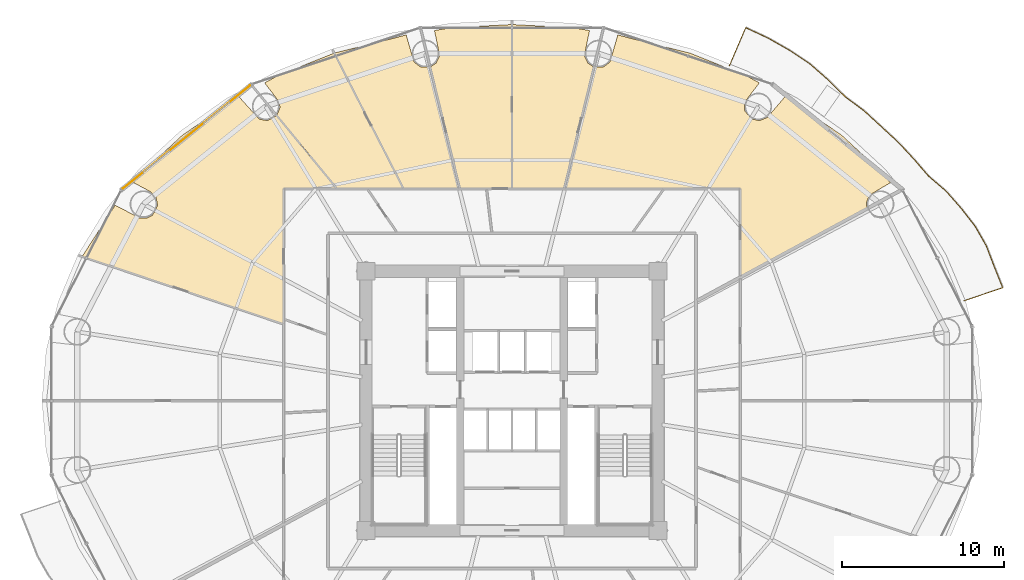
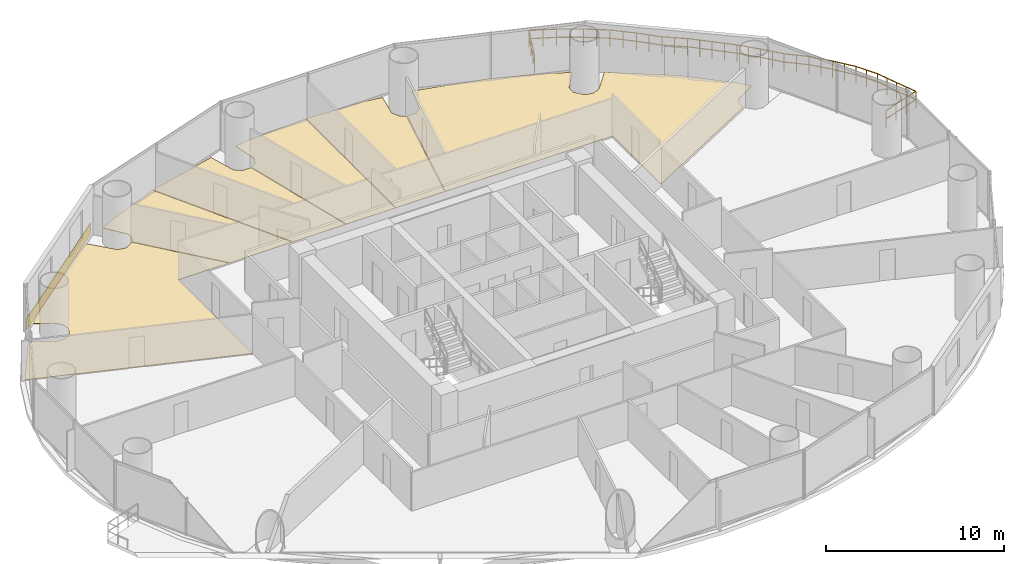
# One storey, part 30 of 30: 7 coverings, 1 railing.
"""IFC4 building model written with IfcOpenShell, lengths in metres."""

from ifc_helpers import new_model, si_unit, direction, frame, origin, origin_2d, place, context, subcontext, project, spatial, polyline, rectangle, outline, extrude, source, transform, mapped, material, layer, layer_set, type_object, element, save


model = new_model("IFC4")

# Units and contexts
model_context = context("Model", 3, precision=1e-05, world=origin(), true_north=direction((-0.2419218956, 0.970295726276)))
body_context = subcontext(model_context, "Body", "Model", "MODEL_VIEW")
ifc_project = project(units=[si_unit("LENGTHUNIT", "METRE"), si_unit("AREAUNIT", "SQUARE_METRE"), si_unit("VOLUMEUNIT", "CUBIC_METRE"), si_unit("PLANEANGLEUNIT", "RADIAN"), si_unit("MASSUNIT", "GRAM", prefix="KILO")], contexts=[model_context])

# Site, building, storey
site_placement = place(None, origin())
site = spatial("IfcSite", under=ifc_project, at=site_placement, CompositionType="ELEMENT")
building_placement = place(site_placement, origin())
building = spatial("IfcBuilding", under=site, at=building_placement, Name="Cobrevalo Terracotta Tower", CompositionType="ELEMENT")
storey_placement = place(building_placement, frame((0.0, 0.0, 63.60009765625)))
storey = spatial("IfcBuildingStorey", under=building, at=storey_placement, Name="L16", CompositionType="ELEMENT", Elevation=63.60009765625)

# Railing
ifc_material_1 = material(Name="Laminated structural glass and stainless steel", Category="steel")
railing_type = type_object("IfcRailingType", Name="Balcony lobe structural glass & terracotta-cap balustrade 1180 mm", PredefinedType="BALUSTRADE", material=ifc_material_1)
railing_placement = place(storey_placement, frame((65.878662109375, 32.970458984375, 0.0)))
element("IfcRailing", 1, at=railing_placement, inside=storey, type_object=railing_type, Name="L16 spiralling balcony lobe balustrade 1", PredefinedType="BALUSTRADE", context=body_context, shape_type="SweptSolid", body=[
    extrude(rectangle(XDim=0.048095703125, YDim=0.048095703125, at=origin_2d()), frame((0.0, 0.0, 1.15576171875), z_axis=(0.947685623681, 0.319205198373, 0.0), x_axis=(-0.319205198373, 0.947685623681, 0.0)), (0.0, 0.0, 1.0), 2.532470703125),
    extrude(rectangle(XDim=0.048095703125, YDim=0.048095703125, at=origin_2d()), frame((0.0, 0.0, 0.58984375), z_axis=(0.947685623681, 0.319205198373, 0.0), x_axis=(-0.319205198373, 0.947685623681, 0.0)), (0.0, 0.0, 1.0), 2.532470703125),
    extrude(rectangle(XDim=0.048095703125, YDim=0.048095703125, at=origin_2d()), frame((2.39990234375, 0.808349609375, 1.15576171875), z_axis=(-0.372757689905, 0.927928717422, 0.0), x_axis=(-0.927928717422, -0.372757689905, 0.0)), (0.0, 0.0, 1.0), 1.38525390625),
    extrude(rectangle(XDim=0.048095703125, YDim=0.048095703125, at=origin_2d()), frame((2.39990234375, 0.808349609375, 0.58984375), z_axis=(-0.372757689905, 0.927928717422, 0.0), x_axis=(-0.927928717422, -0.372757689905, 0.0)), (0.0, 0.0, 1.0), 1.38525390625),
    extrude(rectangle(XDim=0.048095703125, YDim=0.048095703125, at=origin_2d()), frame((1.883544921875, 2.09375, 1.15576171875), z_axis=(-0.357692993676, 0.933839237918, 0.0), x_axis=(-0.933839237918, -0.357692993676, 0.0)), (0.0, 0.0, 1.0), 1.386962890625),
    extrude(rectangle(XDim=0.048095703125, YDim=0.048095703125, at=origin_2d()), frame((1.883544921875, 2.09375, 0.58984375), z_axis=(-0.357692993676, 0.933839237918, 0.0), x_axis=(-0.933839237918, -0.357692993676, 0.0)), (0.0, 0.0, 1.0), 1.386962890625),
    extrude(rectangle(XDim=0.048095703125, YDim=0.048095703125, at=origin_2d()), frame((1.387451171875, 3.388916015625, 1.15576171875), z_axis=(-0.494574379134, 0.869135307938, 0.0), x_axis=(-0.869135307938, -0.494574379134, 0.0)), (0.0, 0.0, 1.0), 1.3955078125),
    extrude(rectangle(XDim=0.048095703125, YDim=0.048095703125, at=origin_2d()), frame((1.387451171875, 3.388916015625, 0.58984375), z_axis=(-0.494574379134, 0.869135307938, 0.0), x_axis=(-0.869135307938, -0.494574379134, 0.0)), (0.0, 0.0, 1.0), 1.3955078125),
    extrude(rectangle(XDim=0.048095703125, YDim=0.048095703125, at=origin_2d()), frame((0.697265625, 4.601806640625, 1.15576171875), z_axis=(-0.614359154703, 0.78902650718, 0.0), x_axis=(-0.78902650718, -0.614359154703, 0.0)), (0.0, 0.0, 1.0), 1.4130859375),
    extrude(rectangle(XDim=0.048095703125, YDim=0.048095703125, at=origin_2d()), frame((0.697265625, 4.601806640625, 0.58984375), z_axis=(-0.614359154703, 0.78902650718, 0.0), x_axis=(-0.78902650718, -0.614359154703, 0.0)), (0.0, 0.0, 1.0), 1.4130859375),
    extrude(rectangle(XDim=0.048095703125, YDim=0.048095703125, at=origin_2d()), frame((-0.1708984375, 5.716796875, 1.15576171875), z_axis=(-0.659505333479, 0.751699883672, 0.0), x_axis=(-0.751699883672, -0.659505333479, 0.0)), (0.0, 0.0, 1.0), 1.398193359375),
    extrude(rectangle(XDim=0.048095703125, YDim=0.048095703125, at=origin_2d()), frame((-0.1708984375, 5.716796875, 0.58984375), z_axis=(-0.659505333479, 0.751699883672, 0.0), x_axis=(-0.751699883672, -0.659505333479, 0.0)), (0.0, 0.0, 1.0), 1.398193359375),
    extrude(rectangle(XDim=0.048095703125, YDim=0.048095703125, at=origin_2d()), frame((-1.093017578125, 6.767822265625, 1.15576171875), z_axis=(-0.759316579912, 0.650721393125, 0.0), x_axis=(-0.650721393125, -0.759316579912, 0.0)), (0.0, 0.0, 1.0), 1.4365234375),
    extrude(rectangle(XDim=0.048095703125, YDim=0.048095703125, at=origin_2d()), frame((-1.093017578125, 6.767822265625, 0.58984375), z_axis=(-0.759316579912, 0.650721393125, 0.0), x_axis=(-0.650721393125, -0.759316579912, 0.0)), (0.0, 0.0, 1.0), 1.4365234375),
    extrude(rectangle(XDim=0.048095703125, YDim=0.048095703125, at=origin_2d()), frame((-2.183837890625, 7.70263671875, 1.15576171875), z_axis=(-0.651986947416, 0.758230189586, 0.0), x_axis=(-0.758230189586, -0.651986947416, 0.0)), (0.0, 0.0, 1.0), 1.394775390625),
    extrude(rectangle(XDim=0.048095703125, YDim=0.048095703125, at=origin_2d()), frame((-2.183837890625, 7.70263671875, 0.58984375), z_axis=(-0.651986947416, 0.758230189586, 0.0), x_axis=(-0.758230189586, -0.651986947416, 0.0)), (0.0, 0.0, 1.0), 1.394775390625),
    extrude(rectangle(XDim=0.048095703125, YDim=0.048095703125, at=origin_2d()), frame((-3.09326171875, 8.76025390625, 1.15576171875), z_axis=(-0.681816506095, 0.731523240927, 0.0), x_axis=(-0.731523240927, -0.681816506095, 0.0)), (0.0, 0.0, 1.0), 1.40478515625),
    extrude(rectangle(XDim=0.048095703125, YDim=0.048095703125, at=origin_2d()), frame((-3.09326171875, 8.76025390625, 0.58984375), z_axis=(-0.681816506095, 0.731523240927, 0.0), x_axis=(-0.731523240927, -0.681816506095, 0.0)), (0.0, 0.0, 1.0), 1.40478515625),
    extrude(rectangle(XDim=0.048095703125, YDim=0.048095703125, at=origin_2d()), frame((-4.051025390625, 9.787841796875, 1.15576171875), z_axis=(-0.733969275627, 0.679182672361, 0.0), x_axis=(-0.679182672361, -0.733969275627, 0.0)), (0.0, 0.0, 1.0), 1.426025390625),
    extrude(rectangle(XDim=0.048095703125, YDim=0.048095703125, at=origin_2d()), frame((-4.051025390625, 9.787841796875, 0.58984375), z_axis=(-0.733969275627, 0.679182672361, 0.0), x_axis=(-0.679182672361, -0.733969275627, 0.0)), (0.0, 0.0, 1.0), 1.426025390625),
    extrude(rectangle(XDim=0.048095703125, YDim=0.048095703125, at=origin_2d()), frame((-5.09765625, 10.75634765625, 1.15576171875), z_axis=(-0.736313666779, 0.676640365419, 0.0), x_axis=(-0.676640365419, -0.736313666779, 0.0)), (0.0, 0.0, 1.0), 1.423828125),
    extrude(rectangle(XDim=0.048095703125, YDim=0.048095703125, at=origin_2d()), frame((-5.09765625, 10.75634765625, 0.58984375), z_axis=(-0.736313666779, 0.676640365419, 0.0), x_axis=(-0.676640365419, -0.736313666779, 0.0)), (0.0, 0.0, 1.0), 1.423828125),
    extrude(rectangle(XDim=0.048095703125, YDim=0.048095703125, at=origin_2d()), frame((-6.14599609375, 11.7197265625, 1.15576171875), z_axis=(-0.802051671912, 0.597254648858, 0.0), x_axis=(-0.597254648858, -0.802051671912, 0.0)), (0.0, 0.0, 1.0), 1.453125),
    extrude(rectangle(XDim=0.048095703125, YDim=0.048095703125, at=origin_2d()), frame((-6.14599609375, 11.7197265625, 0.58984375), z_axis=(-0.802051671912, 0.597254648858, 0.0), x_axis=(-0.597254648858, -0.802051671912, 0.0)), (0.0, 0.0, 1.0), 1.453125),
    extrude(rectangle(XDim=0.048095703125, YDim=0.048095703125, at=origin_2d()), frame((-7.3115234375, 12.587646484375, 1.15576171875), z_axis=(-0.711455558764, 0.702731092171, 0.0), x_axis=(-0.702731092171, -0.711455558764, 0.0)), (0.0, 0.0, 1.0), 1.483154296875),
    extrude(rectangle(XDim=0.048095703125, YDim=0.048095703125, at=origin_2d()), frame((-7.3115234375, 12.587646484375, 0.58984375), z_axis=(-0.711455558764, 0.702731092171, 0.0), x_axis=(-0.702731092171, -0.711455558764, 0.0)), (0.0, 0.0, 1.0), 1.483154296875),
    extrude(rectangle(XDim=0.048095703125, YDim=0.048095703125, at=origin_2d()), frame((-8.36669921875, 13.6298828125, 1.15576171875), z_axis=(-0.751323984624, 0.65993353463, 0.0), x_axis=(-0.65993353463, -0.751323984624, 0.0)), (0.0, 0.0, 1.0), 1.49853515625),
    extrude(rectangle(XDim=0.048095703125, YDim=0.048095703125, at=origin_2d()), frame((-8.36669921875, 13.6298828125, 0.58984375), z_axis=(-0.751323984624, 0.65993353463, 0.0), x_axis=(-0.65993353463, -0.751323984624, 0.0)), (0.0, 0.0, 1.0), 1.49853515625),
    extrude(rectangle(XDim=0.048095703125, YDim=0.048095703125, at=origin_2d()), frame((-9.49267578125, 14.618896484375, 1.15576171875), z_axis=(-0.832124630172, 0.554588676284, 0.0), x_axis=(-0.554588676284, -0.832124630172, 0.0)), (0.0, 0.0, 1.0), 1.515625),
    extrude(rectangle(XDim=0.048095703125, YDim=0.048095703125, at=origin_2d()), frame((-9.49267578125, 14.618896484375, 0.58984375), z_axis=(-0.832124630172, 0.554588676284, 0.0), x_axis=(-0.554588676284, -0.832124630172, 0.0)), (0.0, 0.0, 1.0), 1.515625),
    extrude(rectangle(XDim=0.048095703125, YDim=0.048095703125, at=origin_2d()), frame((-10.75390625, 15.45947265625, 1.15576171875), z_axis=(-0.869025300827, 0.494767649025, 0.0), x_axis=(-0.494767649025, -0.869025300827, 0.0)), (0.0, 0.0, 1.0), 1.515380859375),
    extrude(rectangle(XDim=0.048095703125, YDim=0.048095703125, at=origin_2d()), frame((-10.75390625, 15.45947265625, 0.58984375), z_axis=(-0.869025300827, 0.494767649025, 0.0), x_axis=(-0.494767649025, -0.869025300827, 0.0)), (0.0, 0.0, 1.0), 1.515380859375),
    extrude(rectangle(XDim=0.048095703125, YDim=0.048095703125, at=origin_2d()), frame((-12.07080078125, 16.209228515625, 1.15576171875), z_axis=(-0.906244057486, 0.422754903308, 0.0), x_axis=(-0.422754903308, -0.906244057486, 0.0)), (0.0, 0.0, 1.0), 1.53564453125),
    extrude(rectangle(XDim=0.048095703125, YDim=0.048095703125, at=origin_2d()), frame((-12.07080078125, 16.209228515625, 0.58984375), z_axis=(-0.906244057486, 0.422754903308, 0.0), x_axis=(-0.422754903308, -0.906244057486, 0.0)), (0.0, 0.0, 1.0), 1.53564453125),
    extrude(rectangle(XDim=0.048095703125, YDim=0.048095703125, at=origin_2d()), frame((-13.46240234375, 16.8583984375, 1.15576171875), z_axis=(-0.392274155502, -0.919848349961, 0.0), x_axis=(0.919848349961, -0.392274155502, 0.0)), (0.0, 0.0, 1.0), 2.544189453125),
    extrude(rectangle(XDim=0.048095703125, YDim=0.048095703125, at=origin_2d()), frame((-13.46240234375, 16.8583984375, 0.58984375), z_axis=(-0.392274155502, -0.919848349961, 0.0), x_axis=(0.919848349961, -0.392274155502, 0.0)), (0.0, 0.0, 1.0), 2.544189453125),
    extrude(rectangle(XDim=0.0419921875, YDim=0.0419921875, at=origin_2d()), origin(), (0.0, 0.0, 1.0), 1.1318359375),
    extrude(rectangle(XDim=0.0419921875, YDim=0.0419921875, at=origin_2d()), frame((0.800048828125, 0.26953125, 0.0)), (0.0, 0.0, 1.0), 1.1318359375),
    extrude(rectangle(XDim=0.0419921875, YDim=0.0419921875, at=origin_2d()), frame((1.599853515625, 0.538818359375, 0.0)), (0.0, 0.0, 1.0), 1.1318359375),
    extrude(rectangle(XDim=0.0419921875, YDim=0.0419921875, at=origin_2d()), frame((2.39990234375, 0.808349609375, 0.0)), (0.0, 0.0, 1.0), 1.1318359375),
    extrude(rectangle(XDim=0.0419921875, YDim=0.0419921875, at=origin_2d()), frame((2.1416015625, 1.451171875, 0.0)), (0.0, 0.0, 1.0), 1.1318359375),
    extrude(rectangle(XDim=0.0419921875, YDim=0.0419921875, at=origin_2d()), frame((1.883544921875, 2.09375, 0.0)), (0.0, 0.0, 1.0), 1.1318359375),
    extrude(rectangle(XDim=0.0419921875, YDim=0.0419921875, at=origin_2d()), frame((1.635498046875, 2.7412109375, 0.0)), (0.0, 0.0, 1.0), 1.1318359375),
    extrude(rectangle(XDim=0.0419921875, YDim=0.0419921875, at=origin_2d()), frame((1.387451171875, 3.388916015625, 0.0)), (0.0, 0.0, 1.0), 1.1318359375),
    extrude(rectangle(XDim=0.0419921875, YDim=0.0419921875, at=origin_2d()), frame((1.04248046875, 3.995361328125, 0.0)), (0.0, 0.0, 1.0), 1.1318359375),
    extrude(rectangle(XDim=0.0419921875, YDim=0.0419921875, at=origin_2d()), frame((0.697265625, 4.601806640625, 0.0)), (0.0, 0.0, 1.0), 1.1318359375),
    extrude(rectangle(XDim=0.0419921875, YDim=0.0419921875, at=origin_2d()), frame((0.26318359375, 5.1591796875, 0.0)), (0.0, 0.0, 1.0), 1.1318359375),
    extrude(rectangle(XDim=0.0419921875, YDim=0.0419921875, at=origin_2d()), frame((-0.1708984375, 5.716796875, 0.0)), (0.0, 0.0, 1.0), 1.1318359375),
    extrude(rectangle(XDim=0.0419921875, YDim=0.0419921875, at=origin_2d()), frame((-0.6318359375, 6.2421875, 0.0)), (0.0, 0.0, 1.0), 1.1318359375),
    extrude(rectangle(XDim=0.0419921875, YDim=0.0419921875, at=origin_2d()), frame((-1.093017578125, 6.767822265625, 0.0)), (0.0, 0.0, 1.0), 1.1318359375),
    extrude(rectangle(XDim=0.0419921875, YDim=0.0419921875, at=origin_2d()), frame((-1.638427734375, 7.2353515625, 0.0)), (0.0, 0.0, 1.0), 1.1318359375),
    extrude(rectangle(XDim=0.0419921875, YDim=0.0419921875, at=origin_2d()), frame((-2.183837890625, 7.70263671875, 0.0)), (0.0, 0.0, 1.0), 1.1318359375),
    extrude(rectangle(XDim=0.0419921875, YDim=0.0419921875, at=origin_2d()), frame((-2.638671875, 8.2314453125, 0.0)), (0.0, 0.0, 1.0), 1.1318359375),
    extrude(rectangle(XDim=0.0419921875, YDim=0.0419921875, at=origin_2d()), frame((-3.09326171875, 8.76025390625, 0.0)), (0.0, 0.0, 1.0), 1.1318359375),
    extrude(rectangle(XDim=0.0419921875, YDim=0.0419921875, at=origin_2d()), frame((-3.572265625, 9.27392578125, 0.0)), (0.0, 0.0, 1.0), 1.1318359375),
    extrude(rectangle(XDim=0.0419921875, YDim=0.0419921875, at=origin_2d()), frame((-4.051025390625, 9.787841796875, 0.0)), (0.0, 0.0, 1.0), 1.1318359375),
    extrude(rectangle(XDim=0.0419921875, YDim=0.0419921875, at=origin_2d()), frame((-4.57421875, 10.27197265625, 0.0)), (0.0, 0.0, 1.0), 1.1318359375),
    extrude(rectangle(XDim=0.0419921875, YDim=0.0419921875, at=origin_2d()), frame((-5.09765625, 10.75634765625, 0.0)), (0.0, 0.0, 1.0), 1.1318359375),
    extrude(rectangle(XDim=0.0419921875, YDim=0.0419921875, at=origin_2d()), frame((-5.621826171875, 11.238037109375, 0.0)), (0.0, 0.0, 1.0), 1.1318359375),
    extrude(rectangle(XDim=0.0419921875, YDim=0.0419921875, at=origin_2d()), frame((-6.14599609375, 11.7197265625, 0.0)), (0.0, 0.0, 1.0), 1.1318359375),
    extrude(rectangle(XDim=0.0419921875, YDim=0.0419921875, at=origin_2d()), frame((-6.728759765625, 12.15380859375, 0.0)), (0.0, 0.0, 1.0), 1.1318359375),
    extrude(rectangle(XDim=0.0419921875, YDim=0.0419921875, at=origin_2d()), frame((-7.3115234375, 12.587646484375, 0.0)), (0.0, 0.0, 1.0), 1.1318359375),
    extrude(rectangle(XDim=0.0419921875, YDim=0.0419921875, at=origin_2d()), frame((-7.839111328125, 13.10888671875, 0.0)), (0.0, 0.0, 1.0), 1.1318359375),
    extrude(rectangle(XDim=0.0419921875, YDim=0.0419921875, at=origin_2d()), frame((-8.36669921875, 13.6298828125, 0.0)), (0.0, 0.0, 1.0), 1.1318359375),
    extrude(rectangle(XDim=0.0419921875, YDim=0.0419921875, at=origin_2d()), frame((-8.9296875, 14.12451171875, 0.0)), (0.0, 0.0, 1.0), 1.1318359375),
    extrude(rectangle(XDim=0.0419921875, YDim=0.0419921875, at=origin_2d()), frame((-9.49267578125, 14.618896484375, 0.0)), (0.0, 0.0, 1.0), 1.1318359375),
    extrude(rectangle(XDim=0.0419921875, YDim=0.0419921875, at=origin_2d()), frame((-10.123291015625, 15.0390625, 0.0)), (0.0, 0.0, 1.0), 1.1318359375),
    extrude(rectangle(XDim=0.0419921875, YDim=0.0419921875, at=origin_2d()), frame((-10.75390625, 15.45947265625, 0.0)), (0.0, 0.0, 1.0), 1.1318359375),
    extrude(rectangle(XDim=0.0419921875, YDim=0.0419921875, at=origin_2d()), frame((-11.412353515625, 15.83447265625, 0.0)), (0.0, 0.0, 1.0), 1.1318359375),
    extrude(rectangle(XDim=0.0419921875, YDim=0.0419921875, at=origin_2d()), frame((-12.07080078125, 16.209228515625, 0.0)), (0.0, 0.0, 1.0), 1.1318359375),
    extrude(rectangle(XDim=0.0419921875, YDim=0.0419921875, at=origin_2d()), frame((-12.7666015625, 16.53369140625, 0.0)), (0.0, 0.0, 1.0), 1.1318359375),
    extrude(rectangle(XDim=0.0419921875, YDim=0.0419921875, at=origin_2d()), frame((-13.46240234375, 16.8583984375, 0.0)), (0.0, 0.0, 1.0), 1.1318359375),
    extrude(rectangle(XDim=0.0419921875, YDim=0.0419921875, at=origin_2d()), frame((-13.795166015625, 16.078369140625, 0.0)), (0.0, 0.0, 1.0), 1.1318359375),
    extrude(rectangle(XDim=0.0419921875, YDim=0.0419921875, at=origin_2d()), frame((-14.127685546875, 15.298095703125, 0.0)), (0.0, 0.0, 1.0), 1.1318359375),
    extrude(rectangle(XDim=0.0419921875, YDim=0.0419921875, at=origin_2d()), frame((-14.46044921875, 14.51806640625, 0.0)), (0.0, 0.0, 1.0), 1.1318359375),
])

# Coverings
ifc_material_2 = material(Name="Engineered Brazilian hardwood flooring", Category="wood")
ifc_layer_1 = layer(ifc_material_2, 0.028076171875)
ifc_layer_set_1 = layer_set([ifc_layer_1], Name="Engineered Brazilian hardwood flooring")
covering_type_1 = type_object("IfcCoveringType", Name="Engineered Hardwood Suite Flooring 28", PredefinedType="FLOORING", material=ifc_layer_set_1)
covering_1_placement = place(storey_placement, origin())
element("IfcCovering", 2, at=covering_1_placement, inside=storey, type_object=covering_type_1, Name="Flat L16A Penthouse Living and Dining Room floor finish", PredefinedType="FLOORING", context=body_context, shape_type="SweptSolid", body=[
    extrude(outline(polyline([(48.991943359375, 48.251953125), (52.361572265625, 46.908203125), (53.26318359375, 46.421142578125), (52.35498046875, 45.23095703125), (52.350341796875, 44.719970703125), (52.772705078125, 44.1953125), (53.27294921875, 44.091064453125), (53.746826171875, 44.2822265625), (54.843505859375, 45.567138671875), (58.3095703125, 43.217529296875), (60.786376953125, 40.933837890625), (61.34423828125, 40.2587890625), (60.060791015625, 39.497802734375), (59.864990234375, 39.02587890625), (59.90234375, 38.681884765625), (52.10498046875, 34.4599609375), (52.10498046875, 39.905029296875), (41.237548828125, 39.905029296875), (43.075439453125, 47.39306640625), (43.63330078125, 47.40185546875), (44.04345703125, 47.706787109375), (44.527587890625, 49.37451171875), (48.991943359375, 48.251953125)])), origin(), (0.0, 0.0, 1.0), 0.02978515625),
])
covering_2_placement = place(storey_placement, origin())
element("IfcCovering", 3, at=covering_2_placement, inside=storey, type_object=covering_type_1, Name="Flat L16A Master Bedroom floor finish", PredefinedType="FLOORING", context=body_context, shape_type="SweptSolid", body=[
    extrude(outline(polyline([(42.78369140625, 49.65478515625), (42.46533203125, 48.099853515625), (42.6845703125, 47.63818359375), (43.03759765625, 47.406494140625), (41.1962890625, 39.905029296875), (38.02001953125, 39.905029296875), (38.02001953125, 50.018798828125), (41.749267578125, 49.8212890625), (42.78369140625, 49.65478515625)])), origin(), (0.0, 0.0, 1.0), 0.02978515625),
])
covering_3_placement = place(storey_placement, origin())
element("IfcCovering", 4, at=covering_3_placement, inside=storey, type_object=covering_type_1, Name="Flat L16A Principal Guest Bedroom floor finish", PredefinedType="FLOORING", context=body_context, shape_type="SweptSolid", body=[
    extrude(outline(polyline([(37.97998046875, 50.018798828125), (37.97998046875, 39.905029296875), (34.8037109375, 39.905029296875), (32.96240234375, 47.406494140625), (33.3154296875, 47.63818359375), (33.53466796875, 48.099853515625), (33.21630859375, 49.65478515625), (34.250732421875, 49.8212890625), (37.97998046875, 50.018798828125)])), origin(), (0.0, 0.0, 1.0), 0.02978515625),
])
covering_4_placement = place(storey_placement, origin())
element("IfcCovering", 5, at=covering_4_placement, inside=storey, type_object=covering_type_1, Name="Flat L16A Principal Guest Bedroom floor finish", PredefinedType="FLOORING", context=body_context, shape_type="SweptSolid", body=[
    extrude(outline(polyline([(31.472412109375, 49.37451171875), (31.95654296875, 47.706787109375), (32.36669921875, 47.40185546875), (32.924560546875, 47.39306640625), (34.762451171875, 39.905029296875), (31.32373046875, 39.905029296875), (27.051025390625, 48.263671875), (31.472412109375, 49.37451171875)])), origin(), (0.0, 0.0, 1.0), 0.02978515625),
])
covering_5_placement = place(storey_placement, origin())
element("IfcCovering", 6, at=covering_5_placement, inside=storey, type_object=covering_type_1, Name="Flat L16A Principal Guest Bedroom floor finish", PredefinedType="FLOORING", context=body_context, shape_type="SweptSolid", body=[
    extrude(outline(polyline([(23.4951171875, 44.42236328125), (23.681884765625, 44.889404296875), (23.64501953125, 45.23095703125), (22.73681640625, 46.421142578125), (23.638427734375, 46.908203125), (27.0126953125, 48.251220703125), (31.27880859375, 39.905029296875), (27.219970703125, 39.905029296875), (23.4951171875, 44.42236328125)])), origin(), (0.0, 0.0, 1.0), 0.02978515625),
])
covering_6_placement = place(storey_placement, origin())
element("IfcCovering", 7, at=covering_6_placement, inside=storey, type_object=covering_type_1, Name="Flat L16A Penthouse Family Lounge floor finish", PredefinedType="FLOORING", context=body_context, shape_type="SweptSolid", body=[
    extrude(outline(polyline([(13.511962890625, 38.87451171875), (15.00439453125, 38.096923828125), (15.51513671875, 38.09716796875), (15.818115234375, 38.25927734375), (16.13525390625, 38.853515625), (16.03515625, 39.3544921875), (15.674560546875, 39.715087890625), (14.65576171875, 40.2587890625), (15.213623046875, 40.933837890625), (17.6904296875, 43.217529296875), (21.156494140625, 45.567138671875), (22.3974609375, 44.1875), (22.899658203125, 44.092529296875), (23.468017578125, 44.392578125), (27.168212890625, 39.905029296875), (23.89501953125, 39.905029296875), (23.89501953125, 31.555419921875), (11.4873046875, 35.72021484375), (13.511962890625, 38.87451171875)])), origin(), (0.0, 0.0, 1.0), 0.02978515625),
])
ifc_material_3 = material(Name="Glazed terracotta facade cladding tile", Category="masonry")
ifc_layer_2 = layer(ifc_material_3, 0.044921875)
ifc_layer_set_2 = layer_set([ifc_layer_2], Name="Glazed terracotta facade cladding tile")
covering_type_2 = type_object("IfcCoveringType", Name="Architectural terracotta rainscreen spandrel cladding 45 mm", PredefinedType="CLADDING", material=ifc_layer_set_2)
shared_shape = source(origin(), body_context, "Body", "SweptSolid", [
    extrude(rectangle(XDim=10.086669921875, YDim=0.044921875, at=origin_2d()), origin(), (0.0, 0.0, 1.0), 0.760009765625),
])
covering_7_placement = place(storey_placement, frame((17.90869140625, 43.076904296875, 0.0400390625), z_axis=(0.0, 0.0, 1.0), x_axis=(-0.777007547884, -0.629491279154, 0.0)))
element("IfcCovering", 8, at=covering_7_placement, inside=storey, type_object=covering_type_2, Name="L16 terracotta spandrel cladding S06", PredefinedType="CLADDING", context=body_context, shape_type="MappedRepresentation", body=[
    mapped(shared_shape, transform((0.0, 0.0, 0.0), scale=1.0)),
])

save(model, "model.ifc")
